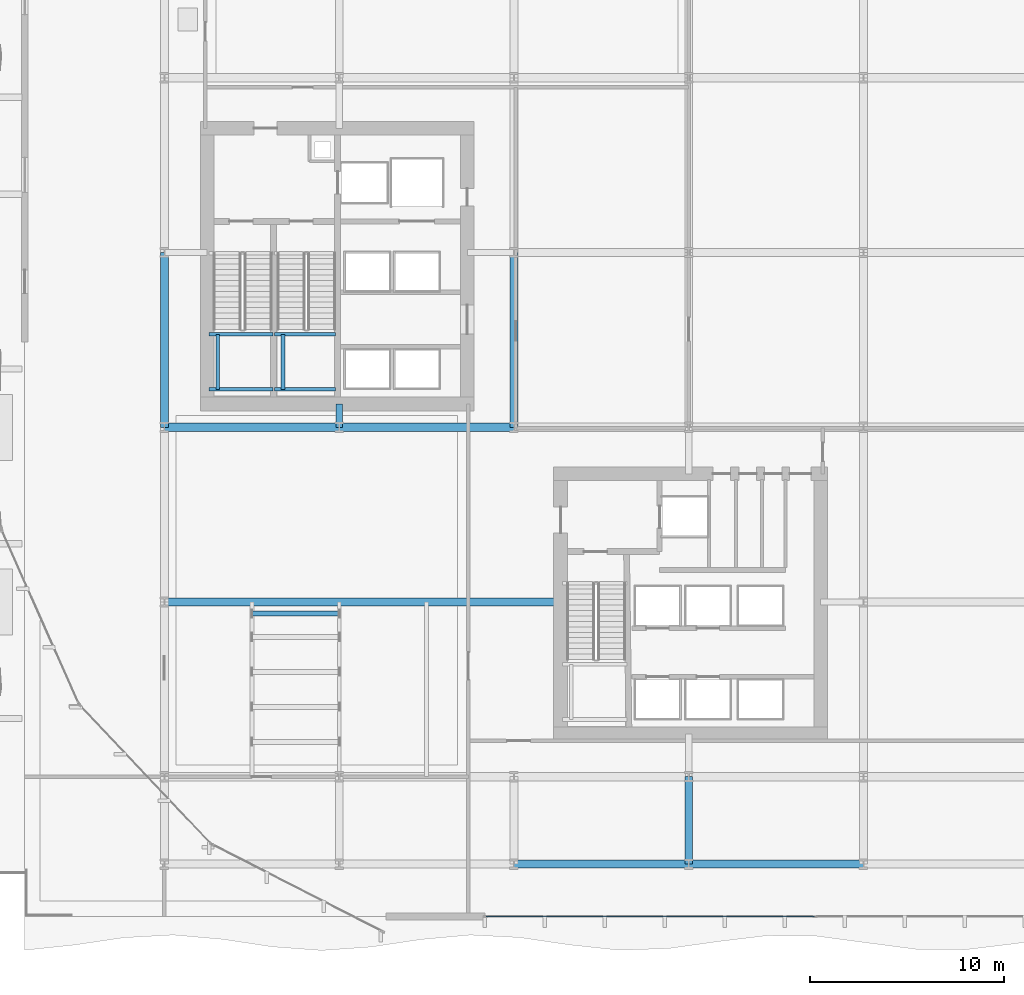
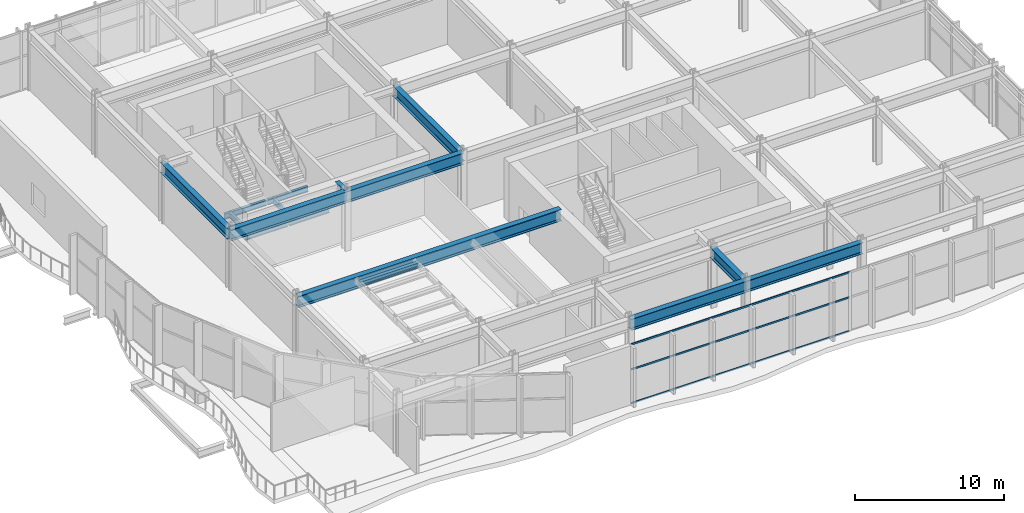
# One storey, part 7 of 33: 15 beams, 4 members, 1 element without a shape of its own.
"""IFC4 building model written with IfcOpenShell, lengths in metres."""

from ifc_helpers import new_model, si_unit, direction, frame, origin, origin_2d, place, context, subcontext, project, spatial, hollow_rectangle, i_section, extrude, material, layer, layer_set, material_profile, profile_set, type_object, element, aggregate, save


model = new_model("IFC4")

# Units and contexts
model_context = context("Model", 3, precision=1e-05, world=origin(), true_north=direction((0.0, 1.0)))
body_context = subcontext(model_context, "Body", "Model", "MODEL_VIEW")
ifc_project = project(units=[si_unit("LENGTHUNIT", "METRE"), si_unit("AREAUNIT", "SQUARE_METRE"), si_unit("VOLUMEUNIT", "CUBIC_METRE"), si_unit("PLANEANGLEUNIT", "RADIAN"), si_unit("MASSUNIT", "GRAM", prefix="KILO")], contexts=[model_context])

# Site, building, storey
site_placement = place(None, origin())
site = spatial("IfcSite", under=ifc_project, at=site_placement, CompositionType="ELEMENT")
building_placement = place(site_placement, origin())
building = spatial("IfcBuilding", under=site, at=building_placement, Name="Solvaryn Broadcast Tower", CompositionType="ELEMENT")
storey_placement = place(building_placement, frame((0.0, 0.0, 5.800048828125)))
storey = spatial("IfcBuildingStorey", under=building, at=storey_placement, Name="L01", CompositionType="ELEMENT", Elevation=5.800048828125)

# Beams
ifc_material_1 = material(Name="Steel ASTM A992 Grade 50", Category="steel")
ifc_material_profile_1 = material_profile(ifc_material_1, i_section(OverallWidth=0.323974609375, OverallDepth=0.611083984375, WebThickness=0.0126953125, FlangeThickness=0.01904296875, FilletRadius=0.014892578125, at=origin_2d()))
ifc_profile_set_1 = profile_set([ifc_material_profile_1], Name="Steel ASTM A992 Grade 50")
beam_type_1 = type_object("IfcBeamType", Name="BM-B1-W24X104", PredefinedType="BEAM", material=ifc_profile_set_1)
beam_1_placement = place(storey_placement, frame((18.0, 27.0, 4.574462890625), z_axis=(0.0, 1.0, 0.0), x_axis=(-1.0, 0.0, 0.0)))
element("IfcBeam", 1, at=beam_1_placement, inside=storey, type_object=beam_type_1, Name="L01 Core Tie Beam CTW4", PredefinedType="BEAM", context=body_context, shape_type="SweptSolid", body=[
    extrude(i_section(OverallWidth=0.323974609375, OverallDepth=0.611083984375, WebThickness=0.0126953125, FlangeThickness=0.01904296875, FilletRadius=0.014892578125, at=origin_2d()), origin(), (0.0, 0.0, 1.0), 1.199951171875),
])
ifc_material_2 = material(Name="Steel ASTM A992 Grade 50", Category="steel")
ifc_material_profile_2 = material_profile(ifc_material_2, i_section(OverallWidth=0.18994140625, OverallDepth=0.45703125, WebThickness=0.009033203125, FlangeThickness=0.014404296875, FilletRadius=0.011962890625, at=origin_2d()))
ifc_profile_set_2 = profile_set([ifc_material_profile_2], Name="Steel ASTM A992 Grade 50")
beam_type_2 = type_object("IfcBeamType", Name="BM-B4-W18X50", PredefinedType="BEAM", material=ifc_profile_set_2)
for number, where, z_axis, x_axis, name in (
    (2, (11.300048828125, 28.949951171875, 2.17138671875), (1.0, 0.0, 0.0), (0.0, 1.0, 0.0), "L01 ST1 Landing Support Beam 1A"),
    (3, (11.300048828125, 31.7900390625, 2.17138671875), (1.0, 0.0, 0.0), (0.0, 1.0, 0.0), "L01 ST1 Landing Support Beam 1B"),
):
    element("IfcBeam", number, at=place(storey_placement, frame(where, z_axis=z_axis, x_axis=x_axis)), inside=storey, type_object=beam_type_2, Name=name, PredefinedType="BEAM", context=body_context, shape_type="SweptSolid", body=[
        extrude(i_section(OverallWidth=0.18994140625, OverallDepth=0.45703125, WebThickness=0.009033203125, FlangeThickness=0.014404296875, FilletRadius=0.011962890625, at=origin_2d()), origin(), (0.0, 0.0, 1.0), 3.280029296875),
    ])
beam_2_placement = place(storey_placement, frame((11.75, 28.949951171875, 2.17138671875), z_axis=(0.0, 1.0, 0.0), x_axis=(-1.0, 0.0, 0.0)))
element("IfcBeam", 4, at=beam_2_placement, inside=storey, type_object=beam_type_2, Name="L01 ST1 Landing Cross Stringer 1C", PredefinedType="BEAM", context=body_context, shape_type="SweptSolid", body=[
    extrude(i_section(OverallWidth=0.18994140625, OverallDepth=0.45703125, WebThickness=0.009033203125, FlangeThickness=0.014404296875, FilletRadius=0.011962890625, at=origin_2d()), origin(), (0.0, 0.0, 1.0), 2.840087890625),
])
for number, where, z_axis, x_axis, name in (
    (5, (14.659912109375, 28.949951171875, 2.17138671875), (1.0, 0.0, 0.0), (0.0, 1.0, 0.0), "L01 ST2 Landing Support Beam 1A"),
    (6, (14.659912109375, 31.7900390625, 2.17138671875), (1.0, 0.0, 0.0), (0.0, 1.0, 0.0), "L01 ST2 Landing Support Beam 1B"),
):
    element("IfcBeam", number, at=place(storey_placement, frame(where, z_axis=z_axis, x_axis=x_axis)), inside=storey, type_object=beam_type_2, Name=name, PredefinedType="BEAM", context=body_context, shape_type="SweptSolid", body=[
        extrude(i_section(OverallWidth=0.18994140625, OverallDepth=0.45703125, WebThickness=0.009033203125, FlangeThickness=0.014404296875, FilletRadius=0.011962890625, at=origin_2d()), origin(), (0.0, 0.0, 1.0), 3.14013671875),
    ])
beam_3_placement = place(storey_placement, frame((15.110107421875, 28.949951171875, 2.17138671875), z_axis=(0.0, 1.0, 0.0), x_axis=(-1.0, 0.0, 0.0)))
element("IfcBeam", 7, at=beam_3_placement, inside=storey, type_object=beam_type_2, Name="L01 ST2 Landing Cross Stringer 1C", PredefinedType="BEAM", context=body_context, shape_type="SweptSolid", body=[
    extrude(i_section(OverallWidth=0.18994140625, OverallDepth=0.45703125, WebThickness=0.009033203125, FlangeThickness=0.014404296875, FilletRadius=0.011962890625, at=origin_2d()), origin(), (0.0, 0.0, 1.0), 2.840087890625),
])
ifc_material_3 = material(Name="Steel ASTM A992 Grade 50", Category="steel")
ifc_material_profile_3 = material_profile(ifc_material_3, i_section(OverallWidth=0.423095703125, OverallDepth=0.947998046875, WebThickness=0.02392578125, FlangeThickness=0.042724609375, FilletRadius=0.02392578125, at=origin_2d()))
ifc_profile_set_3 = profile_set([ifc_material_profile_3], Name="Steel ASTM A992 Grade 50")
beam_type_3 = type_object("IfcBeamType", Name="BM-G1-W36X302", PredefinedType="BEAM", material=ifc_profile_set_3)
beam_4_placement = place(storey_placement, frame((9.0, 18.0, 4.406005859375), z_axis=(1.0, 0.0, 0.0), x_axis=(0.0, 1.0, 0.0)))
element("IfcBeam", 8, at=beam_4_placement, inside=storey, type_object=beam_type_3, Name="L01 Broadcast Studio Clear-Span Girder", PredefinedType="BEAM", context=body_context, shape_type="SweptSolid", body=[
    extrude(i_section(OverallWidth=0.423095703125, OverallDepth=0.947998046875, WebThickness=0.02392578125, FlangeThickness=0.042724609375, FilletRadius=0.02392578125, at=origin_2d()), origin(), (0.0, 0.0, 1.0), 20.39990234375),
])
ifc_material_4 = material(Name="Steel ASTM A992 Grade 50", Category="steel")
ifc_material_profile_4 = material_profile(ifc_material_4, i_section(OverallWidth=0.41796875, OverallDepth=0.927001953125, WebThickness=0.019287109375, FlangeThickness=0.031982421875, FilletRadius=0.02392578125, at=origin_2d()))
ifc_profile_set_4 = profile_set([ifc_material_profile_4], Name="Steel ASTM A992 Grade 50")
beam_type_4 = type_object("IfcBeamType", Name="BM-G2-W36X231", PredefinedType="BEAM", material=ifc_profile_set_4)
for number, where, z_axis, x_axis, name in (
    (9, (27.0, 4.5, 4.41650390625), (1.0, 0.0, 0.0), (0.0, 1.0, 0.0), "L01 Primary Beam X (27-36 @ Y=4)"),
    (10, (36.0, 4.5, 4.41650390625), (1.0, 0.0, 0.0), (0.0, 1.0, 0.0), "L01 Primary Beam X (36-45 @ Y=4)"),
    (11, (9.0, 27.0, 4.41650390625), (1.0, 0.0, 0.0), (0.0, 1.0, 0.0), "L01 Primary Beam X (9-18 @ Y=27)"),
    (12, (18.0, 27.0, 4.41650390625), (1.0, 0.0, 0.0), (0.0, 1.0, 0.0), "L01 Primary Beam X (18-27 @ Y=27)"),
):
    element("IfcBeam", number, at=place(storey_placement, frame(where, z_axis=z_axis, x_axis=x_axis)), inside=storey, type_object=beam_type_4, Name=name, PredefinedType="BEAM", context=body_context, shape_type="SweptSolid", body=[
        extrude(i_section(OverallWidth=0.41796875, OverallDepth=0.927001953125, WebThickness=0.019287109375, FlangeThickness=0.031982421875, FilletRadius=0.02392578125, at=origin_2d()), origin(), (0.0, 0.0, 1.0), 9.0),
    ])
ifc_material_5 = material(Name="Steel ASTM A992 Grade 50", Category="steel")
ifc_material_profile_5 = material_profile(ifc_material_5, i_section(OverallWidth=0.39990234375, OverallDepth=0.85498046875, WebThickness=0.018310546875, FlangeThickness=0.029296875, FilletRadius=0.02001953125, at=origin_2d()))
ifc_profile_set_5 = profile_set([ifc_material_profile_5], Name="Steel ASTM A992 Grade 50")
beam_type_5 = type_object("IfcBeamType", Name="BM-G3-W33X201", PredefinedType="BEAM", material=ifc_profile_set_5)
for number, where, z_axis, x_axis, name in (
    (13, (9.0, 27.0, 4.452392578125), (0.0, 1.0, 0.0), (-1.0, 0.0, 0.0), "L01 Primary Beam Y (27-36 @ X=9)"),
    (14, (27.0, 27.0, 4.452392578125), (0.0, 1.0, 0.0), (-1.0, 0.0, 0.0), "L01 Primary Beam Y (27-36 @ X=27)"),
):
    element("IfcBeam", number, at=place(storey_placement, frame(where, z_axis=z_axis, x_axis=x_axis)), inside=storey, type_object=beam_type_5, Name=name, PredefinedType="BEAM", context=body_context, shape_type="SweptSolid", body=[
        extrude(i_section(OverallWidth=0.39990234375, OverallDepth=0.85498046875, WebThickness=0.018310546875, FlangeThickness=0.029296875, FilletRadius=0.02001953125, at=origin_2d()), origin(), (0.0, 0.0, 1.0), 9.0),
    ])
beam_5_placement = place(storey_placement, frame((36.0, 4.5, 4.452392578125), z_axis=(0.0, 1.0, 0.0), x_axis=(-1.0, 0.0, 0.0)))
element("IfcBeam", 15, at=beam_5_placement, inside=storey, type_object=beam_type_5, Name="L01 Primary Beam Y (4-9 @ X=36)", PredefinedType="BEAM", context=body_context, shape_type="SweptSolid", body=[
    extrude(i_section(OverallWidth=0.39990234375, OverallDepth=0.85498046875, WebThickness=0.018310546875, FlangeThickness=0.029296875, FilletRadius=0.02001953125, at=origin_2d()), origin(), (0.0, 0.0, 1.0), 4.5),
])

# Curtain wall, members
ifc_material_6 = material(Name="Aluminium and Terracotta Unitised Curtain Wall", Category="masonry")
ifc_layer = layer(ifc_material_6, 0.219970703125)
ifc_layer_set = layer_set([ifc_layer], Name="CW-SYS1-PODIUM")
curtain_wall_type = type_object("IfcCurtainWallType", Name="CW-SYS1-PODIUM", PredefinedType="NOTDEFINED", material=ifc_layer_set)
curtain_wall_placement = place(storey_placement, origin())
curtain_wall = element("IfcCurtainWall", 16, at=curtain_wall_placement, inside=storey, type_object=curtain_wall_type, Name="L01 Podium Curtain Wall S1", PredefinedType="NOTDEFINED")
ifc_material_7 = material(Name="Anodised Aluminium 6063-T6", Category="aluminium")
ifc_material_profile_6 = material_profile(ifc_material_7, hollow_rectangle(XDim=0.06494140625, YDim=0.14990234375, WallThickness=0.00390625, InnerFilletRadius=0.00390625, OuterFilletRadius=0.008056640625, at=origin_2d()))
ifc_profile_set_6 = profile_set([ifc_material_profile_6], Name="Anodised Aluminium 6063-T6")
member_type_1 = type_object("IfcMemberType", Name="CW-TRN-150", PredefinedType="USERDEFINED", material=ifc_profile_set_6)
member_1_placement = place(storey_placement, frame((42.469970703125, 1.800048828125, 0.030029296875), z_axis=(-1.0, 0.0, 0.0), x_axis=(0.0, -1.0, 0.0)))
member_1 = element("IfcMember", 17, at=member_1_placement, type_object=member_type_1, Name="CWS1 transom 2.1", ObjectType="TRANSOM", PredefinedType="USERDEFINED", context=body_context, shape_type="SweptSolid", body=[
    extrude(hollow_rectangle(XDim=0.06494140625, YDim=0.14990234375, WallThickness=0.00390625, InnerFilletRadius=0.00390625, OuterFilletRadius=0.008056640625, at=origin_2d()), origin(), (0.0, 0.0, 1.0), 16.909912109375),
])
member_2_placement = place(storey_placement, frame((42.469970703125, 1.800048828125, 2.800048828125), z_axis=(-1.0, 0.0, 0.0), x_axis=(0.0, -1.0, 0.0)))
member_2 = element("IfcMember", 18, at=member_2_placement, type_object=member_type_1, Name="CWS1 transom 2.2", ObjectType="TRANSOM", PredefinedType="USERDEFINED", context=body_context, shape_type="SweptSolid", body=[
    extrude(hollow_rectangle(XDim=0.06494140625, YDim=0.14990234375, WallThickness=0.00390625, InnerFilletRadius=0.00390625, OuterFilletRadius=0.008056640625, at=origin_2d()), origin(), (0.0, 0.0, 1.0), 16.909912109375),
])
member_3_placement = place(storey_placement, frame((42.469970703125, 1.800048828125, 4.849853515625), z_axis=(-1.0, 0.0, 0.0), x_axis=(0.0, -1.0, 0.0)))
member_3 = element("IfcMember", 19, at=member_3_placement, type_object=member_type_1, Name="CWS1 transom 2.3", ObjectType="TRANSOM", PredefinedType="USERDEFINED", context=body_context, shape_type="SweptSolid", body=[
    extrude(hollow_rectangle(XDim=0.06494140625, YDim=0.14990234375, WallThickness=0.00390625, InnerFilletRadius=0.00390625, OuterFilletRadius=0.008056640625, at=origin_2d()), origin(), (0.0, 0.0, 1.0), 16.909912109375),
])
aggregate(curtain_wall, [member_1, member_2, member_3])

# Member
ifc_material_8 = material(Name="Steel ASTM A992 Grade 50", Category="steel")
ifc_material_profile_7 = material_profile(ifc_material_8, i_section(OverallWidth=0.2548828125, OverallDepth=0.35693359375, WebThickness=0.010498046875, FlangeThickness=0.018310546875, FilletRadius=0.014892578125, at=origin_2d()))
ifc_profile_set_7 = profile_set([ifc_material_profile_7], Name="Steel ASTM A992 Grade 50")
member_type_2 = type_object("IfcMemberType", Name="MB-STUDIO-RIG", PredefinedType="STRUT", material=ifc_profile_set_7)
member_4_placement = place(storey_placement, frame((13.5, 17.39990234375, 4.613525390625), z_axis=(1.0, 0.0, 0.0), x_axis=(0.0, 1.0, 0.0)))
element("IfcMember", 20, at=member_4_placement, inside=storey, type_object=member_type_2, Name="L01 Studio Acoustic Grid Strut 5", PredefinedType="STRUT", context=body_context, shape_type="SweptSolid", body=[
    extrude(i_section(OverallWidth=0.2548828125, OverallDepth=0.35693359375, WebThickness=0.010498046875, FlangeThickness=0.018310546875, FilletRadius=0.014892578125, at=origin_2d()), origin(), (0.0, 0.0, 1.0), 4.5),
])

save(model, "model.ifc")
